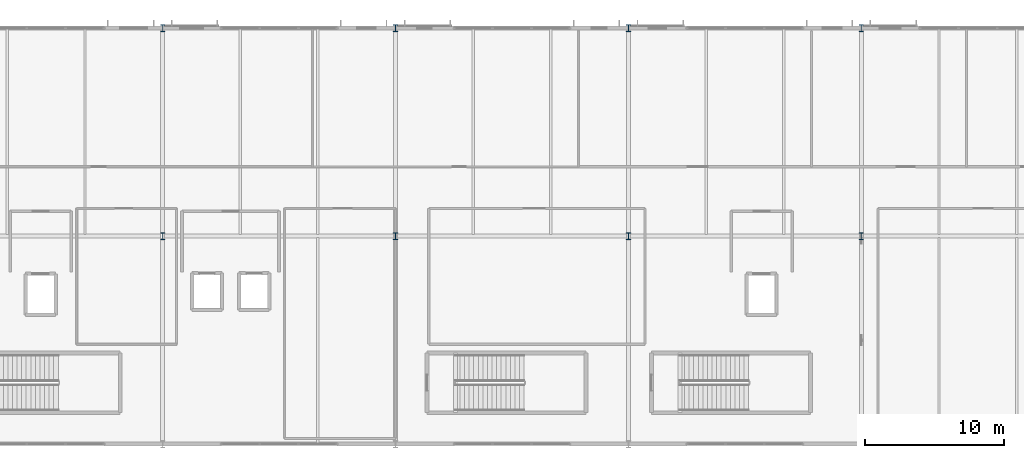
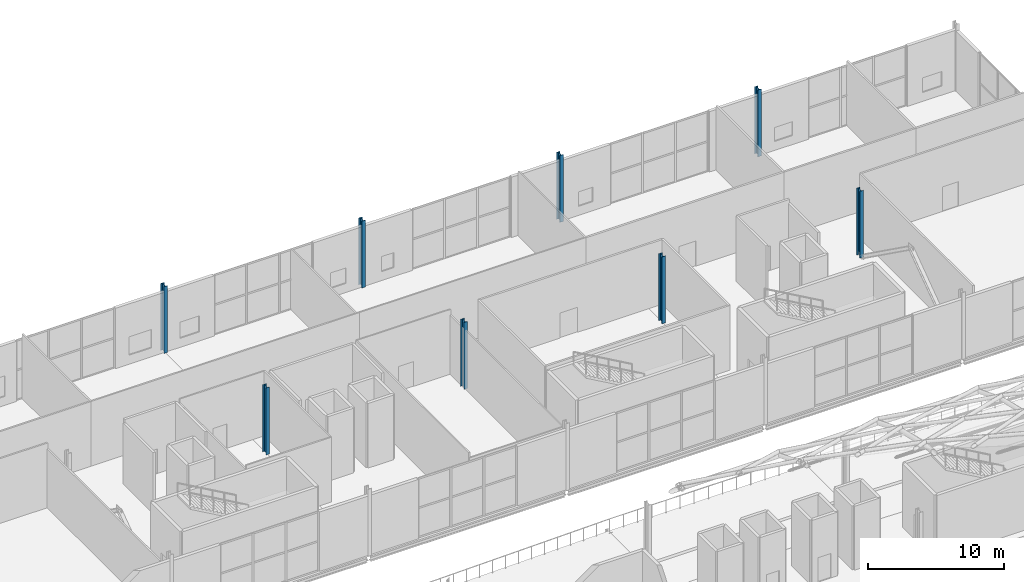
# One storey, part 5 of 100: 8 columns.
"""IFC4 building model written with IfcOpenShell, lengths in metres."""

import ifcopenshell
import ifcopenshell.guid

model = None  # the IFC model being written
_history = None  # IfcOwnerHistory: only IFC2X3 demands one
_inside = {}  # id of a spatial element -> (the spatial element, [elements in it])
_under = {}  # id of a project, library or spatial element -> (it, [spatial elements below it])
_declared = {}  # id of a project -> (the project, [libraries it declares])
_typed = {}  # id of a type object -> (the type object, [elements of that type])
_made_of = {}  # id of a material, layer set ... -> (it, [elements and type objects made of it])


def new_model(schema):
    """Start an empty IFC model of exactly this schema.

    Asked for "IFC4X3", IfcOpenShell would pick the latest addendum, in which some entities
    have other attributes; the version numbers below select the first issue.
    IFC2X3 requires an IfcOwnerHistory on every rooted entity: one is made here for all.
    """
    global model, _history
    if schema == "IFC4X3":
        model = ifcopenshell.file(schema_version=(4, 3, 0, 0))
    else:
        model = ifcopenshell.file(schema=schema)
    _inside.clear()
    _under.clear()
    _declared.clear()
    _typed.clear()
    _made_of.clear()
    _history = None
    if model.schema == "IFC2X3":
        org = make("IfcOrganization", Name="unknown")
        user = make(
            "IfcPersonAndOrganization",
            ThePerson=make("IfcPerson", FamilyName="unknown"),
            TheOrganization=org,
        )
        app = make(
            "IfcApplication",
            ApplicationDeveloper=org,
            Version="unknown",
            ApplicationFullName="unknown",
            ApplicationIdentifier="unknown",
        )
        _history = make(
            "IfcOwnerHistory",
            OwningUser=user,
            OwningApplication=app,
            ChangeAction="ADDED",
            CreationDate=0,
        )
    return model


def make(cls, **values):
    """One entity of the class cls with the attributes given. An attribute that is None is left unset."""
    return model.create_entity(
        cls, **{name: value for name, value in values.items() if value is not None}
    )


def rooted(cls, **values):
    """An entity with a GlobalId (a new one), such as an element, a storey or a relation."""
    return make(cls, GlobalId=ifcopenshell.guid.new(), OwnerHistory=_history, **values)


def si_unit(unit_type, name, prefix=None):
    """IfcSIUnit, for example si_unit("LENGTHUNIT", "METRE", prefix="MILLI")."""
    return make("IfcSIUnit", UnitType=unit_type, Prefix=prefix, Name=name)


def assignment(units):
    """IfcUnitAssignment: the units of a project."""
    return None if units is None else make("IfcUnitAssignment", Units=units)


def point(xyz):
    """IfcCartesianPoint."""
    return None if xyz is None else make("IfcCartesianPoint", Coordinates=xyz)


def direction(xyz):
    """IfcDirection."""
    return None if xyz is None else make("IfcDirection", DirectionRatios=xyz)


def frame(location, z_axis=None, x_axis=None):
    """IfcAxis2Placement3D, a coordinate frame: its origin and axes. An axis left out is left unset."""
    return make(
        "IfcAxis2Placement3D",
        Location=point(location),
        Axis=direction(z_axis),
        RefDirection=direction(x_axis),
    )


def frame_2d(location, x_axis=None):
    """IfcAxis2Placement2D, a coordinate frame in the plane: its origin and x axis."""
    return make(
        "IfcAxis2Placement2D", Location=point(location), RefDirection=direction(x_axis)
    )


def origin():
    """The frame at (0, 0, 0) with its axes left unset."""
    return frame((0.0, 0.0, 0.0))


def origin_2d():
    """The frame at (0, 0) in the plane with its x axis left unset."""
    return frame_2d((0.0, 0.0))


def place(relative_to, where):
    """IfcLocalPlacement: puts the frame where relative to a parent placement (None: the world)."""
    return make(
        "IfcLocalPlacement", PlacementRelTo=relative_to, RelativePlacement=where
    )


def context(
    kind, dimensions, precision=None, world=None, true_north=None, identifier=None
):
    """IfcGeometricRepresentationContext, for example the 3D "Model" context."""
    return make(
        "IfcGeometricRepresentationContext",
        ContextIdentifier=identifier,
        ContextType=kind,
        CoordinateSpaceDimension=dimensions,
        Precision=precision,
        WorldCoordinateSystem=world,
        TrueNorth=true_north,
    )


def subcontext(parent, identifier, kind, view, scale=None):
    """IfcGeometricRepresentationSubContext, for example "Body" below "Model"."""
    return make(
        "IfcGeometricRepresentationSubContext",
        ContextIdentifier=identifier,
        ContextType=kind,
        ParentContext=parent,
        TargetScale=scale,
        TargetView=view,
    )


def project(units=None, contexts=None):
    """IfcProject with its units and contexts."""
    return rooted(
        "IfcProject",
        Name="project",
        RepresentationContexts=contexts,
        UnitsInContext=assignment(units),
    )


def spatial(cls, under=None, at=None, **own):
    """A site, building, storey or space (cls), placed at a placement, below another one or the project."""
    s = rooted(cls, ObjectPlacement=at, **own)
    if under is not None:
        _under.setdefault(under.id(), (under, []))[1].append(s)
    return s


def profile(cls, at=None, kind="AREA", **sizes):
    """A parametric profile (cls). Its sizes go by their IFC names, for example OverallWidth=200.0."""
    return make(cls, ProfileType=kind, Position=at, **sizes)


def i_section(**sizes):
    """IfcIShapeProfileDef."""
    return profile("IfcIShapeProfileDef", **sizes)


def extrude(swept, where, along, depth):
    """IfcExtrudedAreaSolid: the profile swept, set in the frame where, extruded along a direction by depth."""
    return make(
        "IfcExtrudedAreaSolid",
        SweptArea=swept,
        Position=where,
        ExtrudedDirection=direction(along),
        Depth=depth,
    )


def shape(context_of_items, identifier, shape_type, items):
    """IfcShapeRepresentation: the items that make up one representation, for example the "Body"."""
    return make(
        "IfcShapeRepresentation",
        ContextOfItems=context_of_items,
        RepresentationIdentifier=identifier,
        RepresentationType=shape_type,
        Items=items,
    )


def material(Name=None, Category=None):
    """IfcMaterial."""
    return make("IfcMaterial", Name=Name, Category=Category)


def material_profile(
    of_material, cross_section, Name=None, Category=None, Priority=None
):
    """IfcMaterialProfile: a cross section and its material."""
    return make(
        "IfcMaterialProfile",
        Name=Name,
        Material=of_material,
        Profile=cross_section,
        Priority=Priority,
        Category=Category,
    )


def profile_set(profiles, Name=None, composite=None):
    """IfcMaterialProfileSet."""
    return make(
        "IfcMaterialProfileSet",
        Name=Name,
        MaterialProfiles=profiles,
        CompositeProfile=composite,
    )


def made_of(thing, what):
    """Note that an element or type object is made of a material, layer set ...; save() writes the relation."""
    if what is not None:
        _made_of.setdefault(what.id(), (what, []))[1].append(thing)
    return thing


def type_object(cls, material=None, **own):
    """A type object (cls), such as IfcWallType, which elements share."""
    return made_of(rooted(cls, **own), material)


def element(
    cls,
    number,
    at=None,
    inside=None,
    cuts=None,
    type_object=None,
    material=None,
    context=None,
    identifier="Body",
    shape_type=None,
    held_by="IfcProductDefinitionShape",
    body=None,
    shapes=None,
    **own,
):
    """One element of the class cls, such as IfcWall. Its Tag is "e" and its number.

    at: its placement. inside: the storey or other place that contains it. cuts: it is an
    opening in that element (IfcRelVoidsElement). A single representation is given by context,
    identifier, shape_type and body (its items); several are given by shapes. held_by: the class
    of the entity that holds the representations. save() writes the other relations.
    """
    e = rooted(cls, Tag="e%d" % number, ObjectPlacement=at, **own)
    if body is not None:
        shapes = [shape(context, identifier, shape_type, body)]
    if shapes is not None:
        e.Representation = make(held_by, Representations=shapes)
    if inside is not None:
        _inside.setdefault(inside.id(), (inside, []))[1].append(e)
    if cuts is not None:
        rooted(
            "IfcRelVoidsElement", RelatingBuildingElement=cuts, RelatedOpeningElement=e
        )
    if type_object is not None:
        _typed.setdefault(type_object.id(), (type_object, []))[1].append(e)
    return made_of(e, material)


def aggregate(whole, parts):
    """IfcRelAggregates: a whole, such as a stair, and the parts it consists of."""
    return rooted("IfcRelAggregates", RelatingObject=whole, RelatedObjects=parts)


def save(model, path):
    """Write the relations noted so far, then the file.

    IfcRelAggregates (storeys below a building ...), IfcRelContainedInSpatialStructure (elements
    in a storey), IfcRelDefinesByType, IfcRelAssociatesMaterial and IfcRelDeclares: one each for
    every whole, place, type object, material and project.
    """
    for whole, parts in _under.values():
        aggregate(whole, parts)
    for where, things in _inside.values():
        rooted(
            "IfcRelContainedInSpatialStructure",
            RelatedElements=things,
            RelatingStructure=where,
        )
    for kind, things in _typed.values():
        rooted("IfcRelDefinesByType", RelatedObjects=things, RelatingType=kind)
    for what, things in _made_of.values():
        rooted("IfcRelAssociatesMaterial", RelatedObjects=things, RelatingMaterial=what)
    for by, libraries in _declared.values():
        rooted("IfcRelDeclares", RelatingContext=by, RelatedDefinitions=libraries)
    model.write(path)


model = new_model("IFC4")

# Units and contexts
model_context = context("Model", 3, precision=1e-05, world=origin(), true_north=direction((0.0, 1.0)))
body_context = subcontext(model_context, "Body", "Model", "MODEL_VIEW")
ifc_project = project(units=[si_unit("LENGTHUNIT", "METRE"), si_unit("AREAUNIT", "SQUARE_METRE"), si_unit("VOLUMEUNIT", "CUBIC_METRE"), si_unit("PLANEANGLEUNIT", "RADIAN"), si_unit("MASSUNIT", "GRAM", prefix="KILO")], contexts=[model_context])

# Site, building, storey
site_placement = place(None, origin())
site = spatial("IfcSite", under=ifc_project, at=site_placement, CompositionType="ELEMENT")
building_placement = place(site_placement, origin())
building = spatial("IfcBuilding", under=site, at=building_placement, Name="Kimbaza Rail Terminus", CompositionType="ELEMENT")
storey_placement = place(building_placement, frame((0.0, 0.0, 10.800048828125)))
storey = spatial("IfcBuildingStorey", under=building, at=storey_placement, Name="L02", CompositionType="ELEMENT", Elevation=10.800048828125)

# Columns
ifc_material = material(Name="Steel S355", Category="steel")
ifc_material_profile = material_profile(ifc_material, i_section(OverallWidth=0.300048828125, OverallDepth=0.5, WebThickness=0.014404296875, FlangeThickness=0.028076171875, FilletRadius=0.027099609375, at=origin_2d()), Name="HEB 500")
ifc_profile_set = profile_set([ifc_material_profile], Name="Steel S355")
column_type = type_object("IfcColumnType", Name="STR-COL-HEB500", PredefinedType="COLUMN", material=ifc_profile_set)
for number, where, z_axis, x_axis, name in (
    (1, (88.800048828125, 118.0, 0.0), (0.0, 0.0, 1.0), (1.0, 0.0, 0.0), "Operations Column L02 (2,1)"),
    (2, (88.800048828125, 133.0, 0.0), (0.0, 0.0, 1.0), (1.0, 0.0, 0.0), "Operations Column L02 (2,2)"),
    (3, (105.60009765625, 118.0, 0.0), (0.0, 0.0, 1.0), (1.0, 0.0, 0.0), "Operations Column L02 (3,1)"),
    (4, (105.60009765625, 133.0, 0.0), (0.0, 0.0, 1.0), (1.0, 0.0, 0.0), "Operations Column L02 (3,2)"),
    (5, (122.39990234375, 118.0, 0.0), (0.0, 0.0, 1.0), (1.0, 0.0, 0.0), "Operations Column L02 (4,1)"),
    (6, (122.39990234375, 133.0, 0.0), (0.0, 0.0, 1.0), (1.0, 0.0, 0.0), "Operations Column L02 (4,2)"),
    (7, (139.199951171875, 118.0, 0.0), (0.0, 0.0, 1.0), (1.0, 0.0, 0.0), "Operations Column L02 (5,1)"),
    (8, (139.199951171875, 133.0, 0.0), (0.0, 0.0, 1.0), (1.0, 0.0, 0.0), "Operations Column L02 (5,2)"),
):
    element("IfcColumn", number, at=place(storey_placement, frame(where, z_axis=z_axis, x_axis=x_axis)), inside=storey, type_object=column_type, Name=name, PredefinedType="COLUMN", context=body_context, shape_type="SweptSolid", body=[
        extrude(i_section(OverallWidth=0.300048828125, OverallDepth=0.5, WebThickness=0.014404296875, FlangeThickness=0.028076171875, FilletRadius=0.027099609375, at=origin_2d()), origin(), (0.0, 0.0, 1.0), 6.0),
    ])

save(model, "model.ifc")
